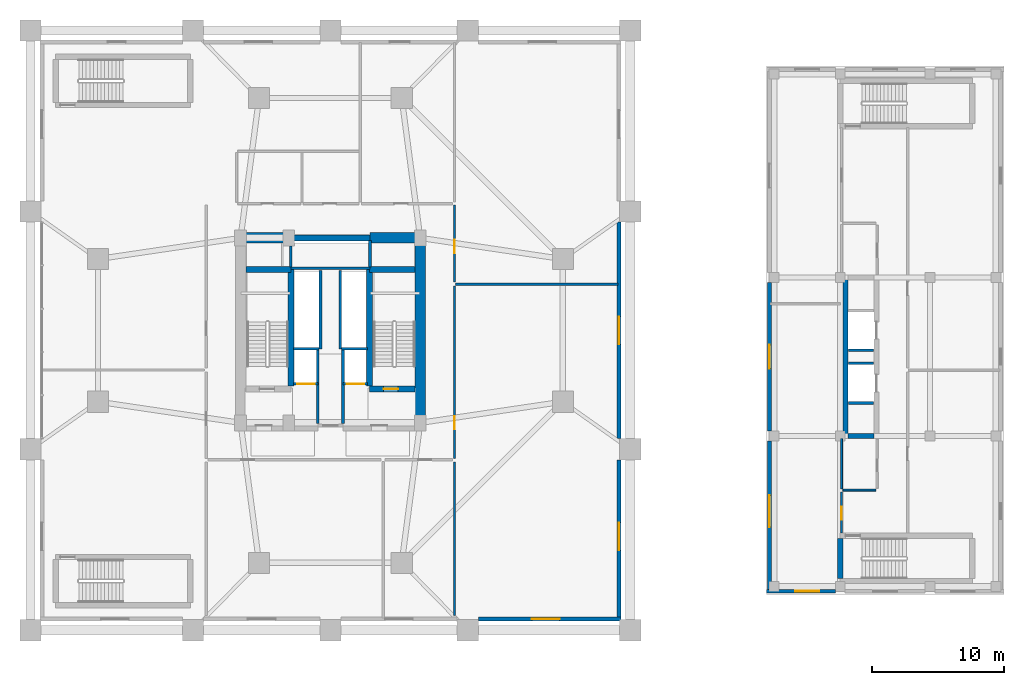
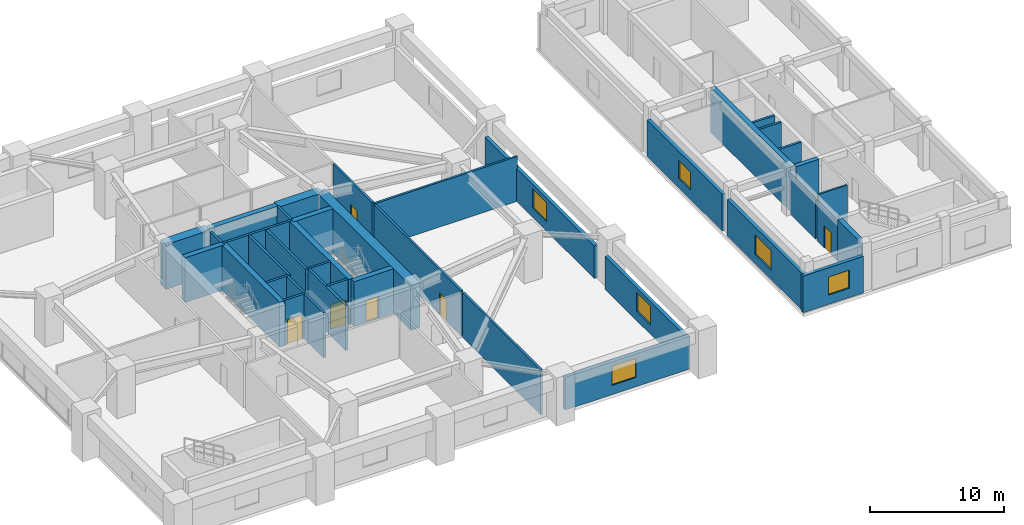
# One storey, part 9 of 16: 39 walls, 6 doors, 6 windows, 12 openings.
"""IFC4 building model written with IfcOpenShell, lengths in metres."""

from ifc_helpers import new_model, si_unit, direction, frame, frame_2d, origin, place, context, subcontext, project, spatial, rectangle, extrude, source, transform, mapped, material, layer, layer_set, type_object, element, fill, save


model = new_model("IFC4")

# Units and contexts
model_context = context("Model", 3, precision=1e-05, world=origin(), true_north=direction((0.0, 1.0)))
body_context = subcontext(model_context, "Body", "Model", "MODEL_VIEW")
ifc_project = project(units=[si_unit("LENGTHUNIT", "METRE"), si_unit("AREAUNIT", "SQUARE_METRE"), si_unit("VOLUMEUNIT", "CUBIC_METRE"), si_unit("PLANEANGLEUNIT", "RADIAN"), si_unit("MASSUNIT", "GRAM", prefix="KILO")], contexts=[model_context])

# Site, building, storey
site_placement = place(None, origin())
site = spatial("IfcSite", under=ifc_project, at=site_placement, CompositionType="ELEMENT")
building_placement = place(site_placement, origin())
building = spatial("IfcBuilding", under=site, at=building_placement, Name="Veraguas Prism Commons", CompositionType="ELEMENT")
storey_placement = place(building_placement, frame((0.0, 0.0, 9.60009765625)))
storey = spatial("IfcBuildingStorey", under=building, at=storey_placement, Name="L02", CompositionType="ELEMENT", Elevation=9.60009765625)

# Walls
ifc_material_1 = material(Name="Concrete C50/60", Category="concrete")
ifc_layer_1 = layer(ifc_material_1, 0.39990234375, Name="Clinic and Mid Core Shear Wall RC 400", Category="concrete")
ifc_layer_set_1 = layer_set([ifc_layer_1], Name="Concrete C50/60")
wall_type_1 = type_object("IfcWallType", Name="Clinic and Mid Core Shear Wall RC 400", PredefinedType="SHEAR", material=ifc_layer_set_1)
wall_1_placement = place(storey_placement, frame((63.0, 16.0, 0.0), z_axis=(0.0, 0.0, 1.0), x_axis=(0.0, 1.0, 0.0)))
element("IfcWall", 1, at=wall_1_placement, inside=storey, type_object=wall_type_1, Name="Health Centre Core West Shear Wall L02", PredefinedType="SHEAR", context=body_context, shape_type="SweptSolid", body=[
    extrude(rectangle(XDim=12.0, YDim=0.39990234375, at=frame_2d((6.0, 0.0))), origin(), (0.0, 0.0, 1.0), 4.099853515625),
])
wall_2_placement = place(storey_placement, frame((63.199951171875, 16.0, 0.0), z_axis=(0.0, 0.0, 1.0), x_axis=(1.0, 0.0, 0.0)))
element("IfcWall", 2, at=wall_2_placement, inside=storey, type_object=wall_type_1, Name="Health Centre Core South Wall L02", PredefinedType="SHEAR", context=body_context, shape_type="SweptSolid", body=[
    extrude(rectangle(XDim=1.949951171875, YDim=0.39990234375, at=frame_2d((0.97509765625, 0.0))), origin(), (0.0, 0.0, 1.0), 4.099853515625),
])
wall_3_placement = place(storey_placement, frame((62.60009765625, 5.199951171875, 0.0), z_axis=(0.0, 0.0, 1.0), x_axis=(0.0, 1.0, 0.0)))
element("IfcWall", 3, at=wall_3_placement, inside=storey, type_object=wall_type_1, Name="ST-H1 West Shear Wall L02", PredefinedType="SHEAR", context=body_context, shape_type="SweptSolid", body=[
    extrude(rectangle(XDim=3.050048828125, YDim=0.39990234375, at=frame_2d((1.52490234375, 0.0))), origin(), (0.0, 0.0, 1.0), 4.099853515625),
])
ifc_material_2 = material(Name="Concrete C60/75", Category="concrete")
ifc_layer_2 = layer(ifc_material_2, 0.449951171875, Name="Core Internal Shear Wall Lower RC 450", Category="concrete")
ifc_layer_set_2 = layer_set([ifc_layer_2], Name="Concrete C60/75")
wall_type_2 = type_object("IfcWallType", Name="Core Internal Shear Wall Lower RC 450", PredefinedType="SHEAR", material=ifc_layer_set_2)
wall_4_placement = place(storey_placement, frame((21.0, 31.0, 0.0), z_axis=(0.0, 0.0, 1.0), x_axis=(1.0, 0.0, 0.0)))
element("IfcWall", 4, at=wall_4_placement, inside=storey, type_object=wall_type_2, Name="High-Rise Lift Bank Front Shear Wall L02", PredefinedType="SHEAR", context=body_context, shape_type="SweptSolid", body=[
    extrude(rectangle(XDim=6.0, YDim=0.449951171875, at=frame_2d((3.0, 0.0))), origin(), (0.0, 0.0, 1.0), 4.099853515625),
])

# Wall, opening, door
wall_5_placement = place(storey_placement, frame((26.97509765625, 19.574951171875, 0.0), z_axis=(0.0, 0.0, 1.0), x_axis=(1.0, 0.0, 0.0)))
wall_5 = element("IfcWall", 5, at=wall_5_placement, inside=storey, type_object=wall_type_2, Name="Stair ST-02 South Shear Wall L02", PredefinedType="SHEAR", context=body_context, shape_type="SweptSolid", body=[
    extrude(rectangle(XDim=3.4248046875, YDim=0.449951171875, at=frame_2d((1.71240234375, 0.0))), origin(), (0.0, 0.0, 1.0), 4.099853515625),
])
opening_1_placement = place(wall_5_placement, frame((1.050048828125, 0.0, 0.0)))
opening_1 = element("IfcOpeningElement", 6, at=opening_1_placement, cuts=wall_5, Name="Opening DR-05", PredefinedType="OPENING", context=body_context, shape_type="SweptSolid", body=[
    extrude(rectangle(XDim=1.10009765625, YDim=2.030029296875, at=frame_2d((0.550048828125, 1.01513671875))), frame((0.0, 0.23486328125, 0.0), z_axis=(0.0, -1.0, 0.0), x_axis=(1.0, 0.0, 0.0)), (0.0, 0.0, 1.0), 0.469970703125),
])
ifc_material_3 = material(Name="Steel fire-rated door assembly", Category="steel")
door_type_1 = type_object("IfcDoorType", Name="Protected Stair and Refuge Fire Door 1100x2030", OperationType="NOTDEFINED", PredefinedType="DOOR", material=ifc_material_3)
shared_shape_1 = source(origin(), body_context, "Body", "SweptSolid", [
    extrude(rectangle(XDim=1.10009765625, YDim=2.030029296875, at=frame_2d((0.550048828125, 1.01513671875))), frame((0.0, 0.02490234375, 0.0), z_axis=(0.0, -1.0, 0.0), x_axis=(1.0, 0.0, 0.0)), (0.0, 0.0, 1.0), 0.050048828125),
])
door_1_placement = place(opening_1_placement, origin())
door_1 = element("IfcDoor", 7, at=door_1_placement, inside=storey, type_object=door_type_1, Name="Stair ST-02 Enclosure Door L02", OperationType="SINGLE_SWING_RIGHT", OverallHeight=2.030029296875, OverallWidth=1.10009765625, PredefinedType="DOOR", context=body_context, shape_type="MappedRepresentation", body=[
    mapped(shared_shape_1, transform((0.0, 0.0, 0.0), scale=1.0)),
])
fill(opening_1, door_1)

# Walls
for number, where, z_axis, x_axis, name in (
    (8, (21.02490234375, 19.800048828125, 0.0), (0.0, 0.0, 1.0), (0.0, 1.0, 0.0), "Stair ST-01 Inner Shear Wall L02"),
    (9, (26.97509765625, 19.800048828125, 0.0), (0.0, 0.0, 1.0), (0.0, 1.0, 0.0), "Stair ST-02 Inner Shear Wall L02"),
):
    element("IfcWall", number, at=place(storey_placement, frame(where, z_axis=z_axis, x_axis=x_axis)), inside=storey, type_object=wall_type_2, Name=name, PredefinedType="SHEAR", context=body_context, shape_type="SweptSolid", body=[
        extrude(rectangle(XDim=8.824951171875, YDim=0.449951171875, at=frame_2d((4.41259765625, 0.0))), origin(), (0.0, 0.0, 1.0), 4.099853515625),
    ])
for number, where, z_axis, x_axis, name in (
    (10, (17.60009765625, 28.625, 0.0), (0.0, 0.0, 1.0), (1.0, 0.0, 0.0), "Stair ST-01 North Shear Wall L02"),
    (11, (26.97509765625, 28.625, 0.0), (0.0, 0.0, 1.0), (1.0, 0.0, 0.0), "Stair ST-02 North Shear Wall L02"),
):
    element("IfcWall", number, at=place(storey_placement, frame(where, z_axis=z_axis, x_axis=x_axis)), inside=storey, type_object=wall_type_2, Name=name, PredefinedType="SHEAR", context=body_context, shape_type="SweptSolid", body=[
        extrude(rectangle(XDim=3.4248046875, YDim=0.449951171875, at=frame_2d((1.71240234375, 0.0))), origin(), (0.0, 0.0, 1.0), 4.099853515625),
    ])
ifc_layer_3 = layer(ifc_material_2, 0.800048828125, Name="Core Outer Shear Wall Lower RC 800", Category="concrete")
ifc_layer_set_3 = layer_set([ifc_layer_3], Name="Concrete C60/75")
wall_type_3 = type_object("IfcWallType", Name="Core Outer Shear Wall Lower RC 800", PredefinedType="SHEAR", material=ifc_layer_set_3)
wall_6_placement = place(storey_placement, frame((30.800048828125, 16.800048828125, 0.0), z_axis=(0.0, 0.0, 1.0), x_axis=(0.0, 1.0, 0.0)))
element("IfcWall", 12, at=wall_6_placement, inside=storey, type_object=wall_type_3, Name="Central Core East Shear Wall L02", PredefinedType="SHEAR", context=body_context, shape_type="SweptSolid", body=[
    extrude(rectangle(XDim=14.199951171875, YDim=0.800048828125, at=frame_2d((7.10009765625, 0.0))), origin(), (0.0, 0.0, 1.0), 4.099853515625),
])
for number, where, z_axis, x_axis, name in (
    (13, (17.199951171875, 31.0, 0.0), (0.0, 0.0, 1.0), (1.0, 0.0, 0.0), "Central Core North-West Shear Wall L02"),
    (14, (27.0, 31.0, 0.0), (0.0, 0.0, 1.0), (1.0, 0.0, 0.0), "Central Core North-East Shear Wall L02"),
):
    element("IfcWall", number, at=place(storey_placement, frame(where, z_axis=z_axis, x_axis=x_axis)), inside=storey, type_object=wall_type_3, Name=name, PredefinedType="SHEAR", context=body_context, shape_type="SweptSolid", body=[
        extrude(rectangle(XDim=3.800048828125, YDim=0.800048828125, at=frame_2d((1.89990234375, 0.0))), origin(), (0.0, 0.0, 1.0), 4.099853515625),
    ])
ifc_material_4 = material(Name="Autoclaved aerated masonry block 10 MPa", Category="masonry")
ifc_layer_4 = layer(ifc_material_4, 0.179931640625, Name="Corridor and Inter-Tenancy Partition 180", Category="masonry")
ifc_layer_set_4 = layer_set([ifc_layer_4], Name="Autoclaved aerated masonry block 10 MPa")
wall_type_4 = type_object("IfcWallType", Name="Corridor and Inter-Tenancy Partition 180", PredefinedType="PARTITIONING", material=ifc_layer_set_4)
wall_7_placement = place(storey_placement, frame((33.39990234375, 2.39990234375, 0.0), z_axis=(0.0, 0.0, 1.0), x_axis=(0.0, 1.0, 0.0)))
element("IfcWall", 15, at=wall_7_placement, inside=storey, type_object=wall_type_4, Name="WL-L02-PDPT06E", PredefinedType="PARTITIONING", context=body_context, shape_type="SweptSolid", body=[
    extrude(rectangle(XDim=11.650146484375, YDim=0.179931640625, at=frame_2d((5.8251953125, 0.0))), origin(), (0.0, 0.0, 1.0), 4.099853515625),
])

# Wall, opening, door
wall_8_placement = place(storey_placement, frame((33.39990234375, 14.300048828125, 0.0), z_axis=(0.0, 0.0, 1.0), x_axis=(0.0, 1.0, 0.0)))
wall_8 = element("IfcWall", 16, at=wall_8_placement, inside=storey, type_object=wall_type_4, Name="WL-L02-PDPT07", PredefinedType="PARTITIONING", context=body_context, shape_type="SweptSolid", body=[
    extrude(rectangle(XDim=13.050048828125, YDim=0.179931640625, at=frame_2d((6.52490234375, 0.0))), origin(), (0.0, 0.0, 1.0), 4.099853515625),
])
opening_2_placement = place(wall_8_placement, frame((2.199951171875, 0.0, 0.0)))
opening_2 = element("IfcOpeningElement", 17, at=opening_2_placement, cuts=wall_8, Name="Opening DR-13", PredefinedType="OPENING", context=body_context, shape_type="SweptSolid", body=[
    extrude(rectangle(XDim=1.0, YDim=2.010009765625, at=frame_2d((0.5, 1.0048828125))), frame((0.0, 0.099853515625, 0.0), z_axis=(0.0, -1.0, 0.0), x_axis=(1.0, 0.0, 0.0)), (0.0, 0.0, 1.0), 0.199951171875),
])
door_type_2 = type_object("IfcDoorType", Name="Core Accessible WC and Clinic Fire Door 1000x2010", OperationType="NOTDEFINED", PredefinedType="DOOR", material=ifc_material_3)
shared_shape_2 = source(origin(), body_context, "Body", "SweptSolid", [
    extrude(rectangle(XDim=1.0, YDim=2.010009765625, at=frame_2d((0.5, 1.0048828125))), frame((0.0, 0.02490234375, 0.0), z_axis=(0.0, -1.0, 0.0), x_axis=(1.0, 0.0, 0.0)), (0.0, 0.0, 1.0), 0.050048828125),
])
door_2_placement = place(opening_2_placement, origin())
door_2 = element("IfcDoor", 18, at=door_2_placement, inside=storey, type_object=door_type_2, Name="Residents Multipurpose Auditorium Door", OperationType="SINGLE_SWING_LEFT", OverallHeight=2.010009765625, OverallWidth=1.0, PredefinedType="DOOR", context=body_context, shape_type="MappedRepresentation", body=[
    mapped(shared_shape_2, transform((0.0, 0.0, 0.0), scale=1.0)),
])
fill(opening_2, door_2)

wall_9_placement = place(storey_placement, frame((33.39990234375, 27.64990234375, 0.0), z_axis=(0.0, 0.0, 1.0), x_axis=(0.0, 1.0, 0.0)))
wall_9 = element("IfcWall", 19, at=wall_9_placement, inside=storey, type_object=wall_type_4, Name="WL-L02-PDPT08", PredefinedType="PARTITIONING", context=body_context, shape_type="SweptSolid", body=[
    extrude(rectangle(XDim=5.85009765625, YDim=0.179931640625, at=frame_2d((2.925048828125, 0.0))), origin(), (0.0, 0.0, 1.0), 4.099853515625),
])
opening_3_placement = place(wall_9_placement, frame((2.199951171875, 0.0, 0.0)))
opening_3 = element("IfcOpeningElement", 20, at=opening_3_placement, cuts=wall_9, Name="Opening DR-13", PredefinedType="OPENING", context=body_context, shape_type="SweptSolid", body=[
    extrude(rectangle(XDim=1.0, YDim=2.010009765625, at=frame_2d((0.5, 1.0048828125))), frame((0.0, 0.099853515625, 0.0), z_axis=(0.0, -1.0, 0.0), x_axis=(1.0, 0.0, 0.0)), (0.0, 0.0, 1.0), 0.199951171875),
])
door_3_placement = place(opening_3_placement, origin())
door_3 = element("IfcDoor", 21, at=door_3_placement, inside=storey, type_object=door_type_2, Name="Senior Citizens Day Centre Door", OperationType="SINGLE_SWING_RIGHT", OverallHeight=2.010009765625, OverallWidth=1.0, PredefinedType="DOOR", context=body_context, shape_type="MappedRepresentation", body=[
    mapped(shared_shape_2, transform((0.0, 0.0, 0.0), scale=1.0)),
])
fill(opening_3, door_3)

# Wall
wall_10_placement = place(storey_placement, frame((33.47998046875, 27.5, 0.0), z_axis=(0.0, 0.0, 1.0), x_axis=(1.0, 0.0, 0.0)))
element("IfcWall", 22, at=wall_10_placement, inside=storey, type_object=wall_type_4, Name="WL-L02-PDPT09", PredefinedType="PARTITIONING", context=body_context, shape_type="SweptSolid", body=[
    extrude(rectangle(XDim=12.300048828125, YDim=0.179931640625, at=frame_2d((6.14990234375, 0.0))), origin(), (0.0, 0.0, 1.0), 4.099853515625),
])

# Wall, opening, door
wall_11_placement = place(storey_placement, frame((62.699951171875, 8.64990234375, 0.0), z_axis=(0.0, 0.0, 1.0), x_axis=(0.0, 1.0, 0.0)))
wall_11 = element("IfcWall", 23, at=wall_11_placement, inside=storey, type_object=wall_type_4, Name="WL-L02-HCPT05", PredefinedType="PARTITIONING", context=body_context, shape_type="SweptSolid", body=[
    extrude(rectangle(XDim=3.10009765625, YDim=0.179931640625, at=frame_2d((1.550048828125, 0.0))), origin(), (0.0, 0.0, 1.0), 3.5),
])
opening_4_placement = place(wall_11_placement, frame((1.0, 0.0, 0.0)))
opening_4 = element("IfcOpeningElement", 24, at=opening_4_placement, cuts=wall_11, Name="Opening DR-13", PredefinedType="OPENING", context=body_context, shape_type="SweptSolid", body=[
    extrude(rectangle(XDim=1.0, YDim=2.010009765625, at=frame_2d((0.5, 1.0048828125))), frame((0.0, 0.099853515625, 0.0), z_axis=(0.0, -1.0, 0.0), x_axis=(1.0, 0.0, 0.0)), (0.0, 0.0, 1.0), 0.199951171875),
])
door_4_placement = place(opening_4_placement, origin())
door_4 = element("IfcDoor", 25, at=door_4_placement, inside=storey, type_object=door_type_2, Name="Diagnostic Imaging Waiting Area Door", OperationType="SINGLE_SWING_RIGHT", OverallHeight=2.010009765625, OverallWidth=1.0, PredefinedType="DOOR", context=body_context, shape_type="MappedRepresentation", body=[
    mapped(shared_shape_2, transform((0.0, 0.0, 0.0), scale=1.0)),
])
fill(opening_4, door_4)

# Wall, opening, window
ifc_material_5 = material(Name="Precast concrete C40/50", Category="concrete")
ifc_layer_5 = layer(ifc_material_5, 0.300048828125, Name="External Precast Facade Wall 300", Category="concrete")
ifc_layer_set_5 = layer_set([ifc_layer_5], Name="Precast concrete C40/50")
wall_type_5 = type_object("IfcWallType", Name="External Precast Facade Wall 300", PredefinedType="SOLIDWALL", material=ifc_layer_set_5)
wall_12_placement = place(storey_placement, frame((35.199951171875, 2.14990234375, 0.0), z_axis=(0.0, 0.0, 1.0), x_axis=(1.0, 0.0, 0.0)))
wall_12 = element("IfcWall", 26, at=wall_12_placement, inside=storey, type_object=wall_type_5, Name="Podium South Facade Wall L02-04", PredefinedType="SOLIDWALL", context=body_context, shape_type="SweptSolid", body=[
    extrude(rectangle(XDim=10.800048828125, YDim=0.300048828125, at=frame_2d((5.39990234375, 0.0))), origin(), (0.0, 0.0, 1.0), 3.0),
])
opening_5_placement = place(wall_12_placement, frame((4.050048828125, 0.0, 0.85009765625)))
opening_5 = element("IfcOpeningElement", 27, at=opening_5_placement, cuts=wall_12, Name="Opening WN-07", PredefinedType="OPENING", context=body_context, shape_type="SweptSolid", body=[
    extrude(rectangle(XDim=2.10009765625, YDim=1.75, at=frame_2d((1.050048828125, 0.875))), frame((0.0, 0.159912109375, 0.0), z_axis=(0.0, -1.0, 0.0), x_axis=(1.0, 0.0, 0.0)), (0.0, 0.0, 1.0), 0.320068359375),
])
ifc_material_6 = material(Name="Laminated low-e glass", Category="glass")
window_type_1 = type_object("IfcWindowType", Name="Podium Community Window 2100x1750", PartitioningType="DOUBLE_PANEL_VERTICAL", PredefinedType="WINDOW", material=ifc_material_6)
shared_shape_3 = source(origin(), body_context, "Body", "SweptSolid", [
    extrude(rectangle(XDim=2.10009765625, YDim=1.75, at=frame_2d((1.050048828125, 0.875))), frame((0.0, 0.030029296875, 0.0), z_axis=(0.0, -1.0, 0.0), x_axis=(1.0, 0.0, 0.0)), (0.0, 0.0, 1.0), 0.06005859375),
])
window_1_placement = place(opening_5_placement, origin())
window_1 = element("IfcWindow", 28, at=window_1_placement, inside=storey, type_object=window_type_1, Name="Podium South Window L02-04", OverallHeight=1.75, OverallWidth=2.10009765625, PartitioningType="DOUBLE_PANEL_VERTICAL", PredefinedType="WINDOW", context=body_context, shape_type="MappedRepresentation", body=[
    mapped(shared_shape_3, transform((0.0, 0.0, 0.0), scale=1.0)),
])
fill(opening_5, window_1)

wall_13_placement = place(storey_placement, frame((45.85009765625, 2.300048828125, 0.0), z_axis=(0.0, 0.0, 1.0), x_axis=(0.0, 1.0, 0.0)))
wall_13 = element("IfcWall", 29, at=wall_13_placement, inside=storey, type_object=wall_type_5, Name="Podium East Plaza Wall L02-01", PredefinedType="SOLIDWALL", context=body_context, shape_type="SweptSolid", body=[
    extrude(rectangle(XDim=11.89990234375, YDim=0.300048828125, at=frame_2d((5.949951171875, 0.0))), origin(), (0.0, 0.0, 1.0), 3.0),
])
opening_6_placement = place(wall_13_placement, frame((5.050048828125, 0.0, 0.85009765625)))
opening_6 = element("IfcOpeningElement", 30, at=opening_6_placement, cuts=wall_13, Name="Opening WN-07", PredefinedType="OPENING", context=body_context, shape_type="SweptSolid", body=[
    extrude(rectangle(XDim=2.10009765625, YDim=1.75, at=frame_2d((1.050048828125, 0.875))), frame((0.0, 0.159912109375, 0.0), z_axis=(0.0, -1.0, 0.0), x_axis=(1.0, 0.0, 0.0)), (0.0, 0.0, 1.0), 0.320068359375),
])
window_2_placement = place(opening_6_placement, origin())
window_2 = element("IfcWindow", 31, at=window_2_placement, inside=storey, type_object=window_type_1, Name="Podium East Window L02-01", OverallHeight=1.75, OverallWidth=2.10009765625, PartitioningType="DOUBLE_PANEL_VERTICAL", PredefinedType="WINDOW", context=body_context, shape_type="MappedRepresentation", body=[
    mapped(shared_shape_3, transform((0.0, 0.0, 0.0), scale=1.0)),
])
fill(opening_6, window_2)

wall_14_placement = place(storey_placement, frame((45.85009765625, 15.800048828125, 0.0), z_axis=(0.0, 0.0, 1.0), x_axis=(0.0, 1.0, 0.0)))
wall_14 = element("IfcWall", 32, at=wall_14_placement, inside=storey, type_object=wall_type_5, Name="Podium East Plaza Wall L02-02", PredefinedType="SOLIDWALL", context=body_context, shape_type="SweptSolid", body=[
    extrude(rectangle(XDim=16.39990234375, YDim=0.300048828125, at=frame_2d((8.199951171875, 0.0))), origin(), (0.0, 0.0, 1.0), 3.0),
])
opening_7_placement = place(wall_14_placement, frame((7.14990234375, 0.0, 0.85009765625)))
opening_7 = element("IfcOpeningElement", 33, at=opening_7_placement, cuts=wall_14, Name="Opening WN-07", PredefinedType="OPENING", context=body_context, shape_type="SweptSolid", body=[
    extrude(rectangle(XDim=2.10009765625, YDim=1.75, at=frame_2d((1.050048828125, 0.875))), frame((0.0, 0.159912109375, 0.0), z_axis=(0.0, -1.0, 0.0), x_axis=(1.0, 0.0, 0.0)), (0.0, 0.0, 1.0), 0.320068359375),
])
window_3_placement = place(opening_7_placement, origin())
window_3 = element("IfcWindow", 34, at=window_3_placement, inside=storey, type_object=window_type_1, Name="Podium East Window L02-02", OverallHeight=1.75, OverallWidth=2.10009765625, PartitioningType="DOUBLE_PANEL_VERTICAL", PredefinedType="WINDOW", context=body_context, shape_type="MappedRepresentation", body=[
    mapped(shared_shape_3, transform((0.0, 0.0, 0.0), scale=1.0)),
])
fill(opening_7, window_3)

wall_15_placement = place(storey_placement, frame((57.0, 4.25, 0.0), z_axis=(0.0, 0.0, 1.0), x_axis=(1.0, 0.0, 0.0)))
wall_15 = element("IfcWall", 35, at=wall_15_placement, inside=storey, type_object=wall_type_5, Name="Health Centre South Wall L02-01", PredefinedType="SOLIDWALL", context=body_context, shape_type="SweptSolid", body=[
    extrude(rectangle(XDim=5.22509765625, YDim=0.300048828125, at=frame_2d((2.612548828125, 0.0))), origin(), (0.0, 0.0, 1.0), 3.349853515625),
])
opening_8_placement = place(wall_15_placement, frame((2.199951171875, 0.0, 0.85009765625)))
opening_8 = element("IfcOpeningElement", 36, at=opening_8_placement, cuts=wall_15, Name="Opening WN-01", PredefinedType="OPENING", context=body_context, shape_type="SweptSolid", body=[
    extrude(rectangle(XDim=1.800048828125, YDim=1.64990234375, at=frame_2d((0.89990234375, 0.824951171875))), frame((0.0, 0.159912109375, 0.0), z_axis=(0.0, -1.0, 0.0), x_axis=(1.0, 0.0, 0.0)), (0.0, 0.0, 1.0), 0.320068359375),
])
window_type_2 = type_object("IfcWindowType", Name="Clinic Consulting Double Window 1800x1650", PartitioningType="DOUBLE_PANEL_VERTICAL", PredefinedType="WINDOW", material=ifc_material_6)
shared_shape_4 = source(origin(), body_context, "Body", "SweptSolid", [
    extrude(rectangle(XDim=1.800048828125, YDim=1.64990234375, at=frame_2d((0.89990234375, 0.824951171875))), frame((0.0, 0.030029296875, 0.0), z_axis=(0.0, -1.0, 0.0), x_axis=(1.0, 0.0, 0.0)), (0.0, 0.0, 1.0), 0.06005859375),
])
window_4_placement = place(opening_8_placement, origin())
window_4 = element("IfcWindow", 37, at=window_4_placement, inside=storey, type_object=window_type_2, Name="Health Centre South Window L02-01", OverallHeight=1.64990234375, OverallWidth=1.800048828125, PartitioningType="DOUBLE_PANEL_VERTICAL", PredefinedType="WINDOW", context=body_context, shape_type="MappedRepresentation", body=[
    mapped(shared_shape_4, transform((0.0, 0.0, 0.0), scale=1.0)),
])
fill(opening_8, window_4)

wall_16_placement = place(storey_placement, frame((57.25, 27.625, 0.0), z_axis=(0.0, 0.0, 1.0), x_axis=(0.0, -1.0, 0.0)))
wall_16 = element("IfcWall", 38, at=wall_16_placement, inside=storey, type_object=wall_type_5, Name="Health Centre West Plaza Wall L02-02", PredefinedType="SOLIDWALL", context=body_context, shape_type="SweptSolid", body=[
    extrude(rectangle(XDim=11.25, YDim=0.300048828125, at=frame_2d((5.625, 0.0))), origin(), (0.0, 0.0, 1.0), 3.349853515625),
])
opening_9_placement = place(wall_16_placement, frame((4.72509765625, 0.0, 0.85009765625)))
opening_9 = element("IfcOpeningElement", 39, at=opening_9_placement, cuts=wall_16, Name="Opening WN-01", PredefinedType="OPENING", context=body_context, shape_type="SweptSolid", body=[
    extrude(rectangle(XDim=1.800048828125, YDim=1.64990234375, at=frame_2d((0.89990234375, 0.824951171875))), frame((0.0, 0.159912109375, 0.0), z_axis=(0.0, -1.0, 0.0), x_axis=(1.0, 0.0, 0.0)), (0.0, 0.0, 1.0), 0.320068359375),
])
window_5_placement = place(opening_9_placement, origin())
window_5 = element("IfcWindow", 40, at=window_5_placement, inside=storey, type_object=window_type_2, Name="Health Centre West Window L02-02", OverallHeight=1.64990234375, OverallWidth=1.800048828125, PartitioningType="DOUBLE_PANEL_VERTICAL", PredefinedType="WINDOW", context=body_context, shape_type="MappedRepresentation", body=[
    mapped(shared_shape_4, transform((0.0, 0.0, 0.0), scale=1.0)),
])
fill(opening_9, window_5)

wall_17_placement = place(storey_placement, frame((57.25, 15.625, 0.0), z_axis=(0.0, 0.0, 1.0), x_axis=(0.0, -1.0, 0.0)))
wall_17 = element("IfcWall", 41, at=wall_17_placement, inside=storey, type_object=wall_type_5, Name="Health Centre West Plaza Wall L02-03", PredefinedType="SOLIDWALL", context=body_context, shape_type="SweptSolid", body=[
    extrude(rectangle(XDim=11.22509765625, YDim=0.300048828125, at=frame_2d((5.612548828125, 0.0))), origin(), (0.0, 0.0, 1.0), 3.349853515625),
])
opening_10_placement = place(wall_17_placement, frame((4.125, 0.0, 0.85009765625)))
opening_10 = element("IfcOpeningElement", 42, at=opening_10_placement, cuts=wall_17, Name="Opening WN-02", PredefinedType="OPENING", context=body_context, shape_type="SweptSolid", body=[
    extrude(rectangle(XDim=2.39990234375, YDim=1.800048828125, at=frame_2d((1.199951171875, 0.89990234375))), frame((0.0, 0.159912109375, 0.0), z_axis=(0.0, -1.0, 0.0), x_axis=(1.0, 0.0, 0.0)), (0.0, 0.0, 1.0), 0.320068359375),
])
window_type_3 = type_object("IfcWindowType", Name="Clinic Waiting Fixed Window 2400x1800", PartitioningType="SINGLE_PANEL", PredefinedType="WINDOW", material=ifc_material_6)
shared_shape_5 = source(origin(), body_context, "Body", "SweptSolid", [
    extrude(rectangle(XDim=2.39990234375, YDim=1.800048828125, at=frame_2d((1.199951171875, 0.89990234375))), frame((0.0, 0.030029296875, 0.0), z_axis=(0.0, -1.0, 0.0), x_axis=(1.0, 0.0, 0.0)), (0.0, 0.0, 1.0), 0.06005859375),
])
window_6_placement = place(opening_10_placement, origin())
window_6 = element("IfcWindow", 43, at=window_6_placement, inside=storey, type_object=window_type_3, Name="Health Centre West Window L02-03", OverallHeight=1.800048828125, OverallWidth=2.39990234375, PartitioningType="SINGLE_PANEL", PredefinedType="WINDOW", context=body_context, shape_type="MappedRepresentation", body=[
    mapped(shared_shape_5, transform((0.0, 0.0, 0.0), scale=1.0)),
])
fill(opening_10, window_6)

# Wall, opening, door
ifc_layer_6 = layer(ifc_material_4, 0.199951171875, Name="Rated Shaft and Lobby Block Wall 200", Category="masonry")
ifc_layer_set_6 = layer_set([ifc_layer_6], Name="Autoclaved aerated masonry block 10 MPa")
wall_type_6 = type_object("IfcWallType", Name="Rated Shaft and Lobby Block Wall 200", PredefinedType="SOLIDWALL", material=ifc_layer_set_6)
wall_18_placement = place(storey_placement, frame((21.199951171875, 19.949951171875, 0.0), z_axis=(0.0, 0.0, 1.0), x_axis=(1.0, 0.0, 0.0)))
wall_18 = element("IfcWall", 44, at=wall_18_placement, inside=storey, type_object=wall_type_6, Name="Firefighting Lift FFL-1 Front Wall L02", PredefinedType="SOLIDWALL", context=body_context, shape_type="SweptSolid", body=[
    extrude(rectangle(XDim=1.85009765625, YDim=0.199951171875, at=frame_2d((0.925048828125, 0.0))), origin(), (0.0, 0.0, 1.0), 4.099853515625),
])
opening_11_placement = place(wall_18_placement, frame((0.300048828125, 0.0, 0.0)))
opening_11 = element("IfcOpeningElement", 45, at=opening_11_placement, cuts=wall_18, Name="Opening LD-02", PredefinedType="OPENING", context=body_context, shape_type="SweptSolid", body=[
    extrude(rectangle(XDim=1.300048828125, YDim=2.25, at=frame_2d((0.64990234375, 1.125))), frame((0.0, 0.10986328125, 0.0), z_axis=(0.0, -1.0, 0.0), x_axis=(1.0, 0.0, 0.0)), (0.0, 0.0, 1.0), 0.219970703125),
])
ifc_material_7 = material(Name="Stainless steel AISI 316", Category="steel")
door_type_3 = type_object("IfcDoorType", Name="Firefighting Lift Sliding Landing Door 1300x2250", OperationType="NOTDEFINED", PredefinedType="DOOR", material=ifc_material_7)
shared_shape_6 = source(origin(), body_context, "Body", "SweptSolid", [
    extrude(rectangle(XDim=1.300048828125, YDim=2.25, at=frame_2d((0.64990234375, 1.125))), frame((0.0, 0.02490234375, 0.0), z_axis=(0.0, -1.0, 0.0), x_axis=(1.0, 0.0, 0.0)), (0.0, 0.0, 1.0), 0.050048828125),
])
door_5_placement = place(opening_11_placement, origin())
door_5 = element("IfcDoor", 46, at=door_5_placement, inside=storey, type_object=door_type_3, Name="Firefighting Lift FFL-1 Landing Door L02", OperationType="SLIDING_TO_LEFT", OverallHeight=2.25, OverallWidth=1.300048828125, PredefinedType="DOOR", context=body_context, shape_type="MappedRepresentation", body=[
    mapped(shared_shape_6, transform((0.0, 0.0, 0.0), scale=1.0)),
])
fill(opening_11, door_5)

wall_19_placement = place(storey_placement, frame((24.949951171875, 19.949951171875, 0.0), z_axis=(0.0, 0.0, 1.0), x_axis=(1.0, 0.0, 0.0)))
wall_19 = element("IfcWall", 47, at=wall_19_placement, inside=storey, type_object=wall_type_6, Name="Firefighting Lift FFL-2 Front Wall L02", PredefinedType="SOLIDWALL", context=body_context, shape_type="SweptSolid", body=[
    extrude(rectangle(XDim=1.85009765625, YDim=0.199951171875, at=frame_2d((0.925048828125, 0.0))), origin(), (0.0, 0.0, 1.0), 4.099853515625),
])
opening_12_placement = place(wall_19_placement, frame((0.300048828125, 0.0, 0.0)))
opening_12 = element("IfcOpeningElement", 48, at=opening_12_placement, cuts=wall_19, Name="Opening LD-02", PredefinedType="OPENING", context=body_context, shape_type="SweptSolid", body=[
    extrude(rectangle(XDim=1.300048828125, YDim=2.25, at=frame_2d((0.64990234375, 1.125))), frame((0.0, 0.10986328125, 0.0), z_axis=(0.0, -1.0, 0.0), x_axis=(1.0, 0.0, 0.0)), (0.0, 0.0, 1.0), 0.219970703125),
])
door_6_placement = place(opening_12_placement, origin())
door_6 = element("IfcDoor", 49, at=door_6_placement, inside=storey, type_object=door_type_3, Name="Firefighting Lift FFL-2 Front Wall L02", OperationType="SLIDING_TO_LEFT", OverallHeight=2.25, OverallWidth=1.300048828125, PredefinedType="DOOR", context=body_context, shape_type="MappedRepresentation", body=[
    mapped(shared_shape_6, transform((0.0, 0.0, 0.0), scale=1.0)),
])
fill(opening_12, door_6)

# Walls
for number, where, z_axis, x_axis, name in (
    (50, (23.050048828125, 16.949951171875, 0.0), (0.0, 0.0, 1.0), (0.0, 1.0, 0.0), "West FF Lobby Divider Wall L02"),
    (51, (24.949951171875, 16.949951171875, 0.0), (0.0, 0.0, 1.0), (0.0, 1.0, 0.0), "East FF Lobby Divider Wall L02"),
):
    element("IfcWall", number, at=place(storey_placement, frame(where, z_axis=z_axis, x_axis=x_axis)), inside=storey, type_object=wall_type_6, Name=name, PredefinedType="SOLIDWALL", context=body_context, shape_type="SweptSolid", body=[
        extrude(rectangle(XDim=5.60009765625, YDim=0.199951171875, at=frame_2d((2.800048828125, 0.0))), origin(), (0.0, 0.0, 1.0), 4.099853515625),
    ])
for number, where, z_axis, x_axis, name in (
    (52, (21.199951171875, 22.60009765625, 0.0), (0.0, 0.0, 1.0), (1.0, 0.0, 0.0), "Firefighting Lift FFL-1 Rear Wall L02"),
    (53, (24.85009765625, 22.60009765625, 0.0), (0.0, 0.0, 1.0), (1.0, 0.0, 0.0), "Firefighting Lift FFL-2 Rear Wall L02"),
):
    element("IfcWall", number, at=place(storey_placement, frame(where, z_axis=z_axis, x_axis=x_axis)), inside=storey, type_object=wall_type_6, Name=name, PredefinedType="SOLIDWALL", context=body_context, shape_type="SweptSolid", body=[
        extrude(rectangle(XDim=1.949951171875, YDim=0.199951171875, at=frame_2d((0.97509765625, 0.0))), origin(), (0.0, 0.0, 1.0), 4.099853515625),
    ])
wall_20_placement = place(storey_placement, frame((21.0, 28.699951171875, 0.0), z_axis=(0.0, 0.0, 1.0), x_axis=(1.0, 0.0, 0.0)))
element("IfcWall", 54, at=wall_20_placement, inside=storey, type_object=wall_type_6, Name="High-Rise Lift Bank Rear Shaft Wall L02", PredefinedType="SOLIDWALL", context=body_context, shape_type="SweptSolid", body=[
    extrude(rectangle(XDim=6.0, YDim=0.199951171875, at=frame_2d((3.0, 0.0))), origin(), (0.0, 0.0, 1.0), 4.099853515625),
])
wall_21_placement = place(storey_placement, frame((21.0, 28.800048828125, 0.0), z_axis=(0.0, 0.0, 1.0), x_axis=(0.0, 1.0, 0.0)))
element("IfcWall", 55, at=wall_21_placement, inside=storey, type_object=wall_type_6, Name="High-Rise Lift Bank West Shaft Wall L02", PredefinedType="SOLIDWALL", context=body_context, shape_type="SweptSolid", body=[
    extrude(rectangle(XDim=1.599853515625, YDim=0.199951171875, at=frame_2d((0.7998046875, 0.0))), origin(), (0.0, 0.0, 1.0), 4.099853515625),
])
wall_22_placement = place(storey_placement, frame((27.0, 28.800048828125, 0.0), z_axis=(0.0, 0.0, 1.0), x_axis=(0.0, 1.0, 0.0)))
element("IfcWall", 56, at=wall_22_placement, inside=storey, type_object=wall_type_6, Name="High-Rise Lift Bank East Shaft Wall L02", PredefinedType="SOLIDWALL", context=body_context, shape_type="SweptSolid", body=[
    extrude(rectangle(XDim=2.0, YDim=0.199951171875, at=frame_2d((1.0, 0.0))), origin(), (0.0, 0.0, 1.0), 4.099853515625),
])
for number, where, z_axis, x_axis, name in (
    (57, (23.25, 22.60009765625, 0.0), (0.0, 0.0, 1.0), (0.0, 1.0, 0.0), "Low-Rise Lift Bank Front Wall L02"),
    (58, (24.75, 22.60009765625, 0.0), (0.0, 0.0, 1.0), (0.0, 1.0, 0.0), "Mid-Rise Lift Bank Front Wall L02"),
):
    element("IfcWall", number, at=place(storey_placement, frame(where, z_axis=z_axis, x_axis=x_axis)), inside=storey, type_object=wall_type_6, Name=name, PredefinedType="SOLIDWALL", context=body_context, shape_type="SweptSolid", body=[
        extrude(rectangle(XDim=5.949951171875, YDim=0.199951171875, at=frame_2d((2.97509765625, 0.0))), origin(), (0.0, 0.0, 1.0), 4.099853515625),
    ])
for number, where, z_axis, x_axis, name in (
    (59, (63.219970703125, 18.5, 0.0), (0.0, 0.0, 1.0), (1.0, 0.0, 0.0), "Health Centre Lift Shaft Divider Wall L02-CL1S"),
    (60, (63.219970703125, 21.5, 0.0), (0.0, 0.0, 1.0), (1.0, 0.0, 0.0), "Health Centre Lift Shaft Divider Wall L02-CL1N"),
    (61, (63.219970703125, 22.5, 0.0), (0.0, 0.0, 1.0), (1.0, 0.0, 0.0), "Health Centre Lift Shaft Divider Wall L02-CL2S"),
):
    element("IfcWall", number, at=place(storey_placement, frame(where, z_axis=z_axis, x_axis=x_axis)), inside=storey, type_object=wall_type_6, Name=name, PredefinedType="SOLIDWALL", context=body_context, shape_type="SweptSolid", body=[
        extrude(rectangle(XDim=1.909912109375, YDim=0.199951171875, at=frame_2d((0.955078125, 0.0))), origin(), (0.0, 0.0, 1.0), 4.099853515625),
    ])
ifc_material_8 = material(Name="Lightweight acoustic gypsum board")
ifc_layer_7 = layer(ifc_material_8, 0.14990234375, Name="Wet Room and Clinic Acoustic Partition 150")
ifc_layer_set_7 = layer_set([ifc_layer_7], Name="Lightweight acoustic gypsum board")
wall_type_7 = type_object("IfcWallType", Name="Wet Room and Clinic Acoustic Partition 150", PredefinedType="PARTITIONING", material=ifc_layer_set_7)
wall_23_placement = place(storey_placement, frame((62.800048828125, 11.89990234375, 0.0), z_axis=(0.0, 0.0, 1.0), x_axis=(1.0, 0.0, 0.0)))
element("IfcWall", 62, at=wall_23_placement, inside=storey, type_object=wall_type_7, Name="WL-L02-HCPT01", PredefinedType="PARTITIONING", context=body_context, shape_type="SweptSolid", body=[
    extrude(rectangle(XDim=2.5, YDim=0.14990234375, at=frame_2d((1.25, 0.0))), origin(), (0.0, 0.0, 1.0), 4.099853515625),
])
wall_24_placement = place(storey_placement, frame((62.699951171875, 12.0, 0.0), z_axis=(0.0, 0.0, 1.0), x_axis=(0.0, 1.0, 0.0)))
element("IfcWall", 63, at=wall_24_placement, inside=storey, type_object=wall_type_7, Name="WL-L02-HCPT01W", PredefinedType="PARTITIONING", context=body_context, shape_type="SweptSolid", body=[
    extrude(rectangle(XDim=3.800048828125, YDim=0.14990234375, at=frame_2d((1.89990234375, 0.0))), origin(), (0.0, 0.0, 1.0), 3.5),
])

save(model, "model.ifc")
